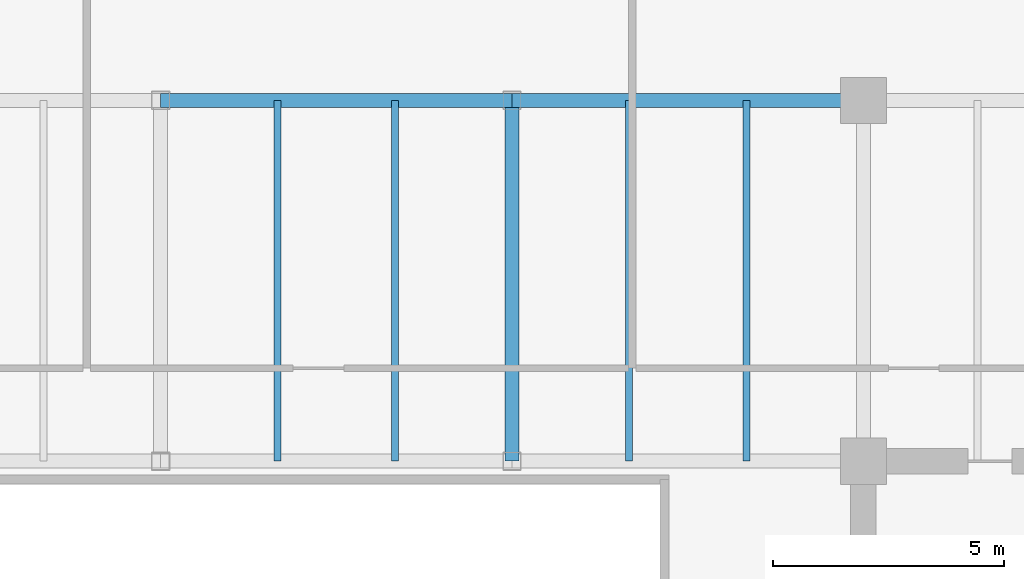
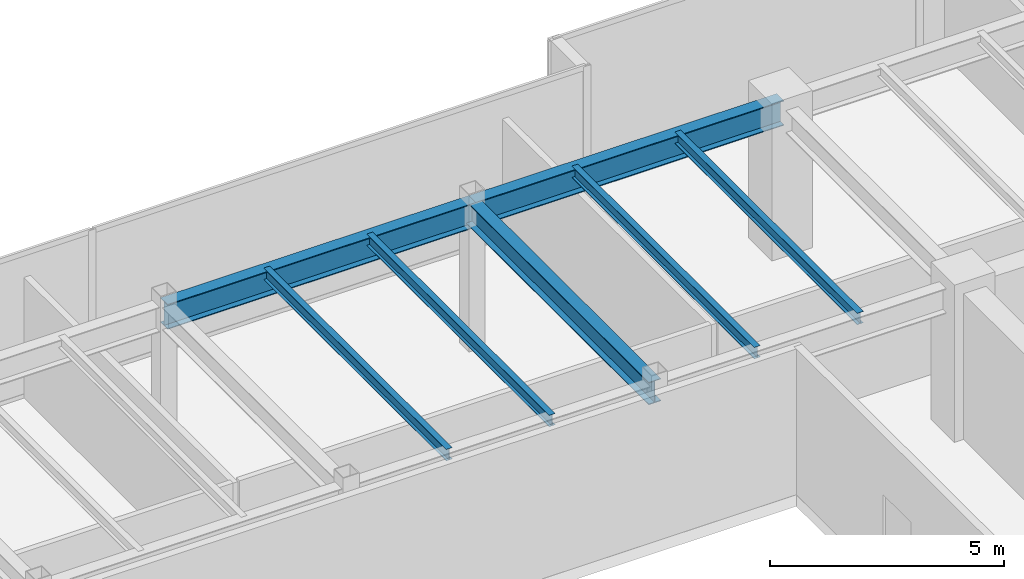
# One storey, part 18 of 33: 7 beams.
"""IFC4 building model written with IfcOpenShell, lengths in metres."""

from ifc_helpers import new_model, si_unit, direction, frame, origin, origin_2d, place, context, subcontext, project, spatial, i_section, extrude, source, transform, mapped, material, material_profile, profile_set, type_object, type_shapes, element, save


model = new_model("IFC4")

# Units and contexts
model_context = context("Model", 3, precision=1e-05, world=origin(), true_north=direction((0.0, 1.0)))
body_context = subcontext(model_context, "Body", "Model", "MODEL_VIEW")
ifc_project = project(units=[si_unit("LENGTHUNIT", "METRE"), si_unit("AREAUNIT", "SQUARE_METRE"), si_unit("VOLUMEUNIT", "CUBIC_METRE"), si_unit("PLANEANGLEUNIT", "RADIAN"), si_unit("MASSUNIT", "GRAM", prefix="KILO")], contexts=[model_context])

# Site, building, storey
site_placement = place(None, origin())
site = spatial("IfcSite", under=ifc_project, at=site_placement, CompositionType="ELEMENT")
building_placement = place(site_placement, origin())
building = spatial("IfcBuilding", under=site, at=building_placement, Name="Haelvirn Gate Laboratories", CompositionType="ELEMENT")
storey_placement = place(building_placement, frame((0.0, 0.0, 230.10009765625)))
storey = spatial("IfcBuildingStorey", under=building, at=storey_placement, Name="L55", CompositionType="ELEMENT", Elevation=230.10009765625)

# Beams
ifc_material = material(Name="Steel SM355", Category="steel")
ifc_material_profile_1 = material_profile(ifc_material, i_section(OverallWidth=0.14990234375, OverallDepth=0.300048828125, WebThickness=0.006591796875, FlangeThickness=0.009033203125, at=origin_2d()), Name="H-300x150x6.5x9")
ifc_profile_set_1 = profile_set([ifc_material_profile_1], Name="Steel SM355")
beam_type_1 = type_object("IfcBeamType", Name="BM-J-300", PredefinedType="JOIST", material=ifc_profile_set_1)
shared_shape_1 = source(origin(), body_context, "Body", "SweptSolid", [
    extrude(i_section(OverallWidth=0.14990234375, OverallDepth=0.300048828125, WebThickness=0.006591796875, FlangeThickness=0.009033203125, at=origin_2d()), origin(), (0.0, 0.0, 1.0), 7.800048828125),
])
type_shapes(beam_type_1, [shared_shape_1])
for number, where, z_axis, x_axis, name in (
    (1, (39.929931640625, 33.800048828125, 3.64990234375), (0.0, 1.0, 0.0), (-1.0, 0.0, 0.0), "L55 Composite Lab Joist North X39.93"),
    (2, (42.469970703125, 33.800048828125, 3.64990234375), (0.0, 1.0, 0.0), (-1.0, 0.0, 0.0), "L55 Composite Lab Joist North X42.47"),
    (3, (47.530029296875, 33.800048828125, 3.64990234375), (0.0, 1.0, 0.0), (-1.0, 0.0, 0.0), "L55 Composite Lab Joist North X47.53"),
    (4, (50.070068359375, 33.800048828125, 3.64990234375), (0.0, 1.0, 0.0), (-1.0, 0.0, 0.0), "L55 Composite Lab Joist North X50.07"),
):
    element("IfcBeam", number, at=place(storey_placement, frame(where, z_axis=z_axis, x_axis=x_axis)), inside=storey, type_object=beam_type_1, Name=name, PredefinedType="JOIST", context=body_context, shape_type="MappedRepresentation", body=[
        mapped(shared_shape_1, transform((0.0, 0.0, 0.0), scale=1.0)),
    ])
ifc_material_profile_2 = material_profile(ifc_material, i_section(OverallWidth=0.300048828125, OverallDepth=0.587890625, WebThickness=0.011962890625, FlangeThickness=0.02001953125, at=origin_2d()), Name="H-588x300x12x20")
ifc_profile_set_2 = profile_set([ifc_material_profile_2], Name="Steel SM355")
beam_type_2 = type_object("IfcBeamType", Name="BM-G-588", PredefinedType="BEAM", material=ifc_profile_set_2)
shared_shape_2 = source(origin(), body_context, "Body", "SweptSolid", [
    extrude(i_section(OverallWidth=0.300048828125, OverallDepth=0.587890625, WebThickness=0.011962890625, FlangeThickness=0.02001953125, at=origin_2d()), origin(), (0.0, 0.0, 1.0), 7.800048828125),
])
type_shapes(beam_type_2, [shared_shape_2])
beam_placement = place(storey_placement, frame((45.0, 33.800048828125, 3.505859375), z_axis=(0.0, 1.0, 0.0), x_axis=(-1.0, 0.0, 0.0)))
element("IfcBeam", 5, at=beam_placement, inside=storey, type_object=beam_type_2, Name="L55 Frame Girder X45.0 (33.8-41.6)", PredefinedType="BEAM", context=body_context, shape_type="MappedRepresentation", body=[
    mapped(shared_shape_2, transform((0.0, 0.0, 0.0), scale=1.0)),
])
ifc_material_profile_3 = material_profile(ifc_material, i_section(OverallWidth=0.300048828125, OverallDepth=0.64990234375, WebThickness=0.012939453125, FlangeThickness=0.02197265625, at=origin_2d()), Name="H-650x300x13x22")
ifc_profile_set_3 = profile_set([ifc_material_profile_3], Name="Steel SM355")
beam_type_3 = type_object("IfcBeamType", Name="BM-G-650", PredefinedType="BEAM", material=ifc_profile_set_3)
shared_shape_3 = source(origin(), body_context, "Body", "SweptSolid", [
    extrude(i_section(OverallWidth=0.300048828125, OverallDepth=0.64990234375, WebThickness=0.012939453125, FlangeThickness=0.02197265625, at=origin_2d()), origin(), (0.0, 0.0, 1.0), 7.60009765625),
])
type_shapes(beam_type_3, [shared_shape_3])
for number, where, z_axis, x_axis, name in (
    (6, (37.39990234375, 41.60009765625, 3.474853515625), (1.0, 0.0, 0.0), (0.0, 1.0, 0.0), "L55 Primary Girder Y41.6 (37.4-45.0)"),
    (7, (45.0, 41.60009765625, 3.474853515625), (1.0, 0.0, 0.0), (0.0, 1.0, 0.0), "L55 Primary Girder Y41.6 (45.0-52.6)"),
):
    element("IfcBeam", number, at=place(storey_placement, frame(where, z_axis=z_axis, x_axis=x_axis)), inside=storey, type_object=beam_type_3, Name=name, PredefinedType="BEAM", context=body_context, shape_type="MappedRepresentation", body=[
        mapped(shared_shape_3, transform((0.0, 0.0, 0.0), scale=1.0)),
    ])

save(model, "model.ifc")
